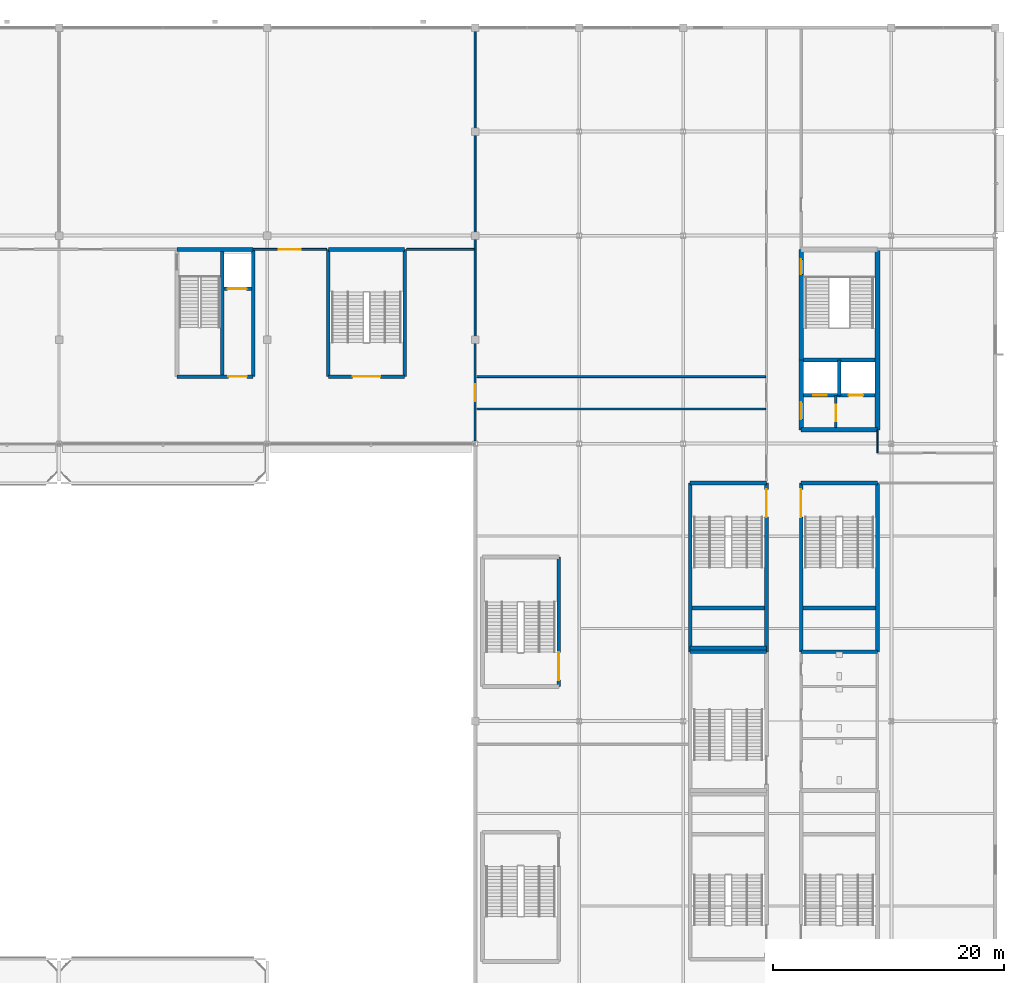
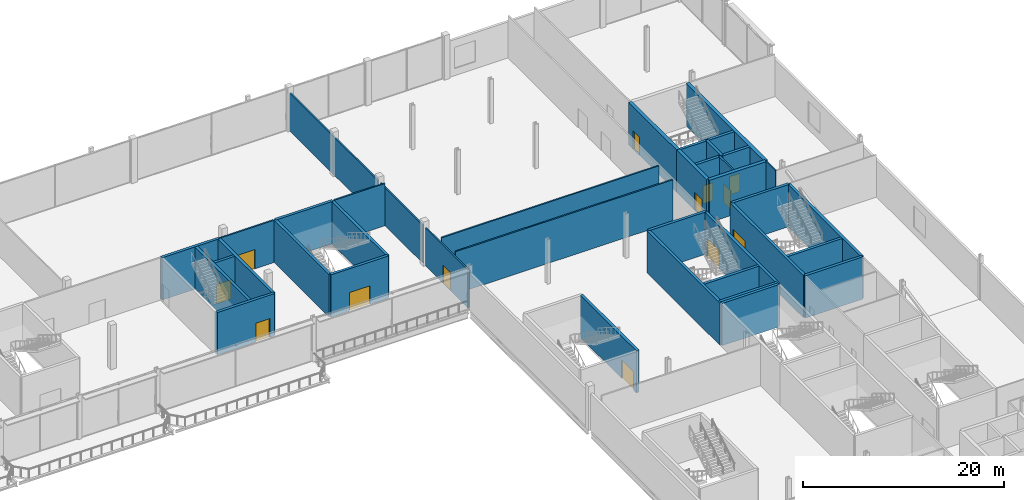
# One storey, part 71 of 113: 38 walls, 13 doors, 13 openings.
"""IFC4 building model written with IfcOpenShell, lengths in metres."""

from ifc_helpers import new_model, si_unit, direction, frame, frame_2d, origin, place, context, subcontext, project, spatial, rectangle, extrude, material, layer, layer_set, type_object, element, fill, save


model = new_model("IFC4")

# Units and contexts
model_context = context("Model", 3, precision=1e-05, world=origin(), true_north=direction((0.0, 1.0)))
body_context = subcontext(model_context, "Body", "Model", "MODEL_VIEW")
ifc_project = project(units=[si_unit("LENGTHUNIT", "METRE"), si_unit("AREAUNIT", "SQUARE_METRE"), si_unit("VOLUMEUNIT", "CUBIC_METRE"), si_unit("PLANEANGLEUNIT", "RADIAN"), si_unit("MASSUNIT", "GRAM", prefix="KILO")], contexts=[model_context])

# Site, building, storey
site_placement = place(None, origin())
site = spatial("IfcSite", under=ifc_project, at=site_placement, CompositionType="ELEMENT")
building_placement = place(site_placement, origin())
building = spatial("IfcBuilding", under=site, at=building_placement, Name="Kisiwana Market Hall", CompositionType="ELEMENT")
storey_placement = place(building_placement, frame((0.0, 0.0, 6.0)))
storey = spatial("IfcBuildingStorey", under=building, at=storey_placement, Name="L01", CompositionType="ELEMENT", Elevation=6.0)

# Wall, opening, door
ifc_material_1 = material(Name="Masonry blockwork", Category="masonry")
ifc_layer_1 = layer(ifc_material_1, 0.199951171875, Name="Plastered fire compartment block wall")
ifc_layer_set_1 = layer_set([ifc_layer_1], Name="WL-COMP-200")
wall_type_1 = type_object("IfcWallType", Name="WL-COMP-200", PredefinedType="PARTITIONING", material=ifc_layer_set_1)
wall_1_placement = place(storey_placement, frame((184.199951171875, 85.39990234375, 0.0), z_axis=(0.0, 0.0, 1.0), x_axis=(0.0, 1.0, 0.0)))
wall_1 = element("IfcWall", 1, at=wall_1_placement, inside=storey, type_object=wall_type_1, Name="Core E1 firefighting lobby wall W-0845", PredefinedType="PARTITIONING", context=body_context, shape_type="SweptSolid", body=[
    extrude(rectangle(XDim=2.780029296875, YDim=0.199951171875, at=frame_2d((1.39013671875, 0.0))), origin(), (0.0, 0.0, 1.0), 5.14990234375),
])
opening_1_placement = place(wall_1_placement, frame((0.550048828125, 0.0, 0.0)))
opening_1 = element("IfcOpeningElement", 2, at=opening_1_placement, cuts=wall_1, Name="Opening DR-L01-012", PredefinedType="OPENING", context=body_context, shape_type="SweptSolid", body=[
    extrude(rectangle(XDim=1.39990234375, YDim=2.25, at=frame_2d((0.699951171875, 1.125))), frame((0.0, 0.11181640625, 0.0), z_axis=(0.0, -1.0, 0.0), x_axis=(1.0, 0.0, 0.0)), (0.0, 0.0, 1.0), 0.223876953125),
])
ifc_material_2 = material(Name="Steel S275", Category="steel")
door_type_1 = type_object("IfcDoorType", Name="DR-FFLOB-FD120-1400", OperationType="DOUBLE_DOOR_SINGLE_SWING", PredefinedType="DOOR", material=ifc_material_2)
door_1_placement = place(opening_1_placement, origin())
door_1 = element("IfcDoor", 3, at=door_1_placement, inside=storey, type_object=door_type_1, Name="Firefighting Lift Lobby E1 Door (L01)", OperationType="DOUBLE_DOOR_SINGLE_SWING", OverallHeight=2.25, OverallWidth=1.39990234375, PredefinedType="DOOR", context=body_context, shape_type="SweptSolid", body=[
    extrude(rectangle(XDim=1.39990234375, YDim=2.25, at=frame_2d((0.699951171875, 1.125))), frame((0.0, 0.02490234375, 0.0), z_axis=(0.0, -1.0, 0.0), x_axis=(1.0, 0.0, 0.0)), (0.0, 0.0, 1.0), 0.050048828125),
])
fill(opening_1, door_1)

# Walls
ifc_material_3 = material(Name="Concrete C40/50", Category="concrete")
ifc_layer_2 = layer(ifc_material_3, 0.320068359375, Name="Reinforced concrete shaft wall")
ifc_layer_set_2 = layer_set([ifc_layer_2], Name="WL-CORE-320")
wall_type_2 = type_object("IfcWallType", Name="WL-CORE-320", PredefinedType="SHEAR", material=ifc_layer_set_2)
wall_2_placement = place(storey_placement, frame((181.39990234375, 91.239990234375, 0.0), z_axis=(0.0, 0.0, 1.0), x_axis=(1.0, 0.0, 0.0)))
element("IfcWall", 4, at=wall_2_placement, inside=storey, type_object=wall_type_2, Name="Core E1 shaft back shear wall W-0704", PredefinedType="SHEAR", context=body_context, shape_type="SweptSolid", body=[
    extrude(rectangle(XDim=6.2001953125, YDim=0.320068359375, at=frame_2d((3.10009765625, 0.0))), origin(), (0.0, 0.0, 1.0), 5.14990234375),
])
wall_3_placement = place(storey_placement, frame((184.5, 88.179931640625, 0.0), z_axis=(0.0, 0.0, 1.0), x_axis=(0.0, 1.0, 0.0)))
element("IfcWall", 5, at=wall_3_placement, inside=storey, type_object=wall_type_2, Name="Core E1 inter-shaft shear wall W-0705", PredefinedType="SHEAR", context=body_context, shape_type="SweptSolid", body=[
    extrude(rectangle(XDim=3.06005859375, YDim=0.320068359375, at=frame_2d((1.530029296875, 0.0))), origin(), (0.0, 0.0, 1.0), 5.14990234375),
])

# Wall, opening, door
wall_4_placement = place(storey_placement, frame((181.39990234375, 88.179931640625, 0.0), z_axis=(0.0, 0.0, 1.0), x_axis=(1.0, 0.0, 0.0)))
wall_4 = element("IfcWall", 6, at=wall_4_placement, inside=storey, type_object=wall_type_2, Name="Core E1 west lift front wall W-0706", PredefinedType="SHEAR", context=body_context, shape_type="SweptSolid", body=[
    extrude(rectangle(XDim=3.10009765625, YDim=0.320068359375, at=frame_2d((1.550048828125, 0.0))), origin(), (0.0, 0.0, 1.0), 5.14990234375),
])
opening_2_placement = place(wall_4_placement, frame((0.85009765625, 0.0, 0.0)))
opening_2 = element("IfcOpeningElement", 7, at=opening_2_placement, cuts=wall_4, Name="Opening LD-L01-007", PredefinedType="OPENING", context=body_context, shape_type="SweptSolid", body=[
    extrude(rectangle(XDim=1.14990234375, YDim=2.199951171875, at=frame_2d((0.574951171875, 1.10009765625))), frame((0.0, 0.171875, 0.0), z_axis=(0.0, -1.0, 0.0), x_axis=(1.0, 0.0, 0.0)), (0.0, 0.0, 1.0), 0.343994140625),
])
ifc_material_4 = material(Name="Steel S275", Category="steel")
door_type_2 = type_object("IfcDoorType", Name="DR-LIFT-PAX-1150", OperationType="DOUBLE_DOOR_SLIDING", PredefinedType="DOOR", material=ifc_material_4)
door_2_placement = place(opening_2_placement, origin())
door_2 = element("IfcDoor", 8, at=door_2_placement, inside=storey, type_object=door_type_2, Name="Lift Landing Door LP-04 (L01)", OperationType="DOUBLE_DOOR_SLIDING", OverallHeight=2.199951171875, OverallWidth=1.14990234375, PredefinedType="DOOR", context=body_context, shape_type="SweptSolid", body=[
    extrude(rectangle(XDim=1.14990234375, YDim=2.199951171875, at=frame_2d((0.574951171875, 1.10009765625))), frame((0.0, 0.02490234375, 0.0), z_axis=(0.0, -1.0, 0.0), x_axis=(1.0, 0.0, 0.0)), (0.0, 0.0, 1.0), 0.050048828125),
])
fill(opening_2, door_2)

wall_5_placement = place(storey_placement, frame((184.5, 88.179931640625, 0.0), z_axis=(0.0, 0.0, 1.0), x_axis=(1.0, 0.0, 0.0)))
wall_5 = element("IfcWall", 9, at=wall_5_placement, inside=storey, type_object=wall_type_2, Name="Core E1 east lift front wall W-0707", PredefinedType="SHEAR", context=body_context, shape_type="SweptSolid", body=[
    extrude(rectangle(XDim=3.10009765625, YDim=0.320068359375, at=frame_2d((1.550048828125, 0.0))), origin(), (0.0, 0.0, 1.0), 5.14990234375),
])
opening_3_placement = place(wall_5_placement, frame((0.800048828125, 0.0, 0.0)))
opening_3 = element("IfcOpeningElement", 10, at=opening_3_placement, cuts=wall_5, Name="Opening LD-L01-008", PredefinedType="OPENING", context=body_context, shape_type="SweptSolid", body=[
    extrude(rectangle(XDim=1.25, YDim=2.25, at=frame_2d((0.625, 1.125))), frame((0.0, 0.171875, 0.0), z_axis=(0.0, -1.0, 0.0), x_axis=(1.0, 0.0, 0.0)), (0.0, 0.0, 1.0), 0.343994140625),
])
ifc_material_5 = material(Name="Steel S275", Category="steel")
door_type_3 = type_object("IfcDoorType", Name="DR-LIFT-FFL-1250", OperationType="DOUBLE_DOOR_SLIDING", PredefinedType="DOOR", material=ifc_material_5)
door_3_placement = place(opening_3_placement, origin())
door_3 = element("IfcDoor", 11, at=door_3_placement, inside=storey, type_object=door_type_3, Name="Lift Landing Door FFL-04 (L01)", OperationType="DOUBLE_DOOR_SLIDING", OverallHeight=2.25, OverallWidth=1.25, PredefinedType="DOOR", context=body_context, shape_type="SweptSolid", body=[
    extrude(rectangle(XDim=1.25, YDim=2.25, at=frame_2d((0.625, 1.125))), frame((0.0, 0.02490234375, 0.0), z_axis=(0.0, -1.0, 0.0), x_axis=(1.0, 0.0, 0.0)), (0.0, 0.0, 1.0), 0.050048828125),
])
fill(opening_3, door_3)

wall_6_placement = place(storey_placement, frame((127.199951171875, 89.800048828125, 0.0), z_axis=(0.0, 0.0, 1.0), x_axis=(1.0, 0.0, 0.0)))
wall_6 = element("IfcWall", 12, at=wall_6_placement, inside=storey, type_object=wall_type_2, Name="Core N2 south wall W-0724", PredefinedType="SHEAR", context=body_context, shape_type="SweptSolid", body=[
    extrude(rectangle(XDim=6.60009765625, YDim=0.320068359375, at=frame_2d((3.300048828125, 0.0))), origin(), (0.0, 0.0, 1.0), 5.14990234375),
])
opening_4_placement = place(wall_6_placement, frame((4.449951171875, 0.0, 0.0)))
opening_4 = element("IfcOpeningElement", 13, at=opening_4_placement, cuts=wall_6, Name="Opening DR-L01-018", PredefinedType="OPENING", context=body_context, shape_type="SweptSolid", body=[
    extrude(rectangle(XDim=1.60009765625, YDim=2.300048828125, at=frame_2d((0.800048828125, 1.14990234375))), frame((0.0, 0.171875, 0.0), z_axis=(0.0, -1.0, 0.0), x_axis=(1.0, 0.0, 0.0)), (0.0, 0.0, 1.0), 0.343994140625),
])
ifc_material_6 = material(Name="Steel S275", Category="steel")
door_type_4 = type_object("IfcDoorType", Name="DR-PLANT-FD120-1600", OperationType="DOUBLE_DOOR_SINGLE_SWING", PredefinedType="DOOR", material=ifc_material_6)
door_4_placement = place(opening_4_placement, origin())
door_4 = element("IfcDoor", 14, at=door_4_placement, inside=storey, type_object=door_type_4, Name="Goods Lift Lobby N2 Door (L01)", OperationType="DOUBLE_DOOR_SINGLE_SWING", OverallHeight=2.300048828125, OverallWidth=1.60009765625, PredefinedType="DOOR", context=body_context, shape_type="SweptSolid", body=[
    extrude(rectangle(XDim=1.60009765625, YDim=2.300048828125, at=frame_2d((0.800048828125, 1.14990234375))), frame((0.0, 0.02490234375, 0.0), z_axis=(0.0, -1.0, 0.0), x_axis=(1.0, 0.0, 0.0)), (0.0, 0.0, 1.0), 0.050048828125),
])
fill(opening_4, door_4)

# Walls
wall_7_placement = place(storey_placement, frame((127.199951171875, 100.800048828125, 0.0), z_axis=(0.0, 0.0, 1.0), x_axis=(1.0, 0.0, 0.0)))
element("IfcWall", 15, at=wall_7_placement, inside=storey, type_object=wall_type_2, Name="Core N2 north wall W-0725", PredefinedType="SHEAR", context=body_context, shape_type="SweptSolid", body=[
    extrude(rectangle(XDim=6.60009765625, YDim=0.320068359375, at=frame_2d((3.300048828125, 0.0))), origin(), (0.0, 0.0, 1.0), 5.14990234375),
])
wall_8_placement = place(storey_placement, frame((133.800048828125, 89.800048828125, 0.0), z_axis=(0.0, 0.0, 1.0), x_axis=(0.0, 1.0, 0.0)))
element("IfcWall", 16, at=wall_8_placement, inside=storey, type_object=wall_type_2, Name="Core N2 east wall W-0727", PredefinedType="SHEAR", context=body_context, shape_type="SweptSolid", body=[
    extrude(rectangle(XDim=11.0, YDim=0.320068359375, at=frame_2d((5.5, 0.0))), origin(), (0.0, 0.0, 1.0), 5.14990234375),
])
wall_9_placement = place(storey_placement, frame((131.1201171875, 89.9599609375, 0.0), z_axis=(0.0, 0.0, 1.0), x_axis=(0.0, 1.0, 0.0)))
element("IfcWall", 17, at=wall_9_placement, inside=storey, type_object=wall_type_2, Name="Core N2 shaft divider W-0728", PredefinedType="SHEAR", context=body_context, shape_type="SweptSolid", body=[
    extrude(rectangle(XDim=10.679931640625, YDim=0.320068359375, at=frame_2d((5.33984375, 0.0))), origin(), (0.0, 0.0, 1.0), 5.14990234375),
])

# Wall, opening, door
wall_10_placement = place(storey_placement, frame((131.280029296875, 97.389892578125, 0.0), z_axis=(0.0, 0.0, 1.0), x_axis=(1.0, 0.0, 0.0)))
wall_10 = element("IfcWall", 18, at=wall_10_placement, inside=storey, type_object=wall_type_2, Name="Core N2 goods lift front wall W-0729", PredefinedType="SHEAR", context=body_context, shape_type="SweptSolid", body=[
    extrude(rectangle(XDim=2.35986328125, YDim=0.320068359375, at=frame_2d((1.179931640625, 0.0))), origin(), (0.0, 0.0, 1.0), 5.14990234375),
])
opening_5_placement = place(wall_10_placement, frame((0.300048828125, 0.0, 0.0)))
opening_5 = element("IfcOpeningElement", 19, at=opening_5_placement, cuts=wall_10, Name="Opening LD-L01-010", PredefinedType="OPENING", context=body_context, shape_type="SweptSolid", body=[
    extrude(rectangle(XDim=1.64990234375, YDim=2.35009765625, at=frame_2d((0.824951171875, 1.175048828125))), frame((0.0, 0.171875, 0.0), z_axis=(0.0, -1.0, 0.0), x_axis=(1.0, 0.0, 0.0)), (0.0, 0.0, 1.0), 0.343994140625),
])
ifc_material_7 = material(Name="Steel S275", Category="steel")
door_type_5 = type_object("IfcDoorType", Name="DR-LIFT-GDS-1650", OperationType="DOUBLE_DOOR_SLIDING", PredefinedType="DOOR", material=ifc_material_7)
door_5_placement = place(opening_5_placement, origin())
door_5 = element("IfcDoor", 20, at=door_5_placement, inside=storey, type_object=door_type_5, Name="Lift Landing Door LG-02 (L01)", OperationType="DOUBLE_DOOR_SLIDING", OverallHeight=2.35009765625, OverallWidth=1.64990234375, PredefinedType="DOOR", context=body_context, shape_type="SweptSolid", body=[
    extrude(rectangle(XDim=1.64990234375, YDim=2.35009765625, at=frame_2d((0.824951171875, 1.175048828125))), frame((0.0, 0.02490234375, 0.0), z_axis=(0.0, -1.0, 0.0), x_axis=(1.0, 0.0, 0.0)), (0.0, 0.0, 1.0), 0.050048828125),
])
fill(opening_5, door_5)

# Walls
for number, where, z_axis, x_axis, name in (
    (21, (181.199951171875, 66.0, 0.0), (0.0, 0.0, 1.0), (1.0, 0.0, 0.0), "Core E4 south shear wall W-0745"),
    (22, (181.199951171875, 80.60009765625, 0.0), (0.0, 0.0, 1.0), (1.0, 0.0, 0.0), "Core E4 north shear wall W-0746"),
):
    element("IfcWall", number, at=place(storey_placement, frame(where, z_axis=z_axis, x_axis=x_axis)), inside=storey, type_object=wall_type_2, Name=name, PredefinedType="SHEAR", context=body_context, shape_type="SweptSolid", body=[
        extrude(rectangle(XDim=6.60009765625, YDim=0.320068359375, at=frame_2d((3.300048828125, 0.0))), origin(), (0.0, 0.0, 1.0), 5.14990234375),
    ])

# Wall, opening, door
wall_11_placement = place(storey_placement, frame((181.199951171875, 66.0, 0.0), z_axis=(0.0, 0.0, 1.0), x_axis=(0.0, 1.0, 0.0)))
wall_11 = element("IfcWall", 23, at=wall_11_placement, inside=storey, type_object=wall_type_2, Name="Core E4 corridor shear wall W-0747", PredefinedType="SHEAR", context=body_context, shape_type="SweptSolid", body=[
    extrude(rectangle(XDim=14.60009765625, YDim=0.320068359375, at=frame_2d((7.300048828125, 0.0))), origin(), (0.0, 0.0, 1.0), 5.14990234375),
])
opening_6_placement = place(wall_11_placement, frame((11.64990234375, 0.0, 0.0)))
opening_6 = element("IfcOpeningElement", 24, at=opening_6_placement, cuts=wall_11, Name="Opening DR-L01-022", PredefinedType="OPENING", context=body_context, shape_type="SweptSolid", body=[
    extrude(rectangle(XDim=2.39990234375, YDim=2.25, at=frame_2d((1.199951171875, 1.125))), frame((0.0, 0.171875, 0.0), z_axis=(0.0, -1.0, 0.0), x_axis=(1.0, 0.0, 0.0)), (0.0, 0.0, 1.0), 0.343994140625),
])
ifc_material_8 = material(Name="Steel S275", Category="steel")
door_type_6 = type_object("IfcDoorType", Name="DR-STAIR-FD120-2400", OperationType="DOUBLE_DOOR_SINGLE_SWING", PredefinedType="DOOR", material=ifc_material_8)
door_6_placement = place(opening_6_placement, frame((2.39990234375, 0.0, 0.0), z_axis=(0.0, 0.0, 1.0), x_axis=(-1.0, 0.0, 0.0)))
door_6 = element("IfcDoor", 25, at=door_6_placement, inside=storey, type_object=door_type_6, Name="Escape Stair E4 Fire Door (L01)", OperationType="DOUBLE_DOOR_SINGLE_SWING", OverallHeight=2.25, OverallWidth=2.39990234375, PredefinedType="DOOR", context=body_context, shape_type="SweptSolid", body=[
    extrude(rectangle(XDim=2.39990234375, YDim=2.25, at=frame_2d((1.199951171875, 1.125))), frame((0.0, 0.02490234375, 0.0), z_axis=(0.0, -1.0, 0.0), x_axis=(1.0, 0.0, 0.0)), (0.0, 0.0, 1.0), 0.050048828125),
])
fill(opening_6, door_6)

# Walls
wall_12_placement = place(storey_placement, frame((187.800048828125, 66.0, 0.0), z_axis=(0.0, 0.0, 1.0), x_axis=(0.0, 1.0, 0.0)))
element("IfcWall", 26, at=wall_12_placement, inside=storey, type_object=wall_type_2, Name="Core E4 outer shear wall W-0748", PredefinedType="SHEAR", context=body_context, shape_type="SweptSolid", body=[
    extrude(rectangle(XDim=14.60009765625, YDim=0.320068359375, at=frame_2d((7.300048828125, 0.0))), origin(), (0.0, 0.0, 1.0), 5.14990234375),
])
wall_13_placement = place(storey_placement, frame((181.360107421875, 69.780029296875, 0.0), z_axis=(0.0, 0.0, 1.0), x_axis=(1.0, 0.0, 0.0)))
element("IfcWall", 27, at=wall_13_placement, inside=storey, type_object=wall_type_2, Name="Core E4 riser divider shear wall W-0749", PredefinedType="SHEAR", context=body_context, shape_type="SweptSolid", body=[
    extrude(rectangle(XDim=6.27978515625, YDim=0.320068359375, at=frame_2d((3.139892578125, 0.0))), origin(), (0.0, 0.0, 1.0), 5.14990234375),
])
for number, where, z_axis, x_axis, name in (
    (28, (171.60009765625, 66.0, 0.0), (0.0, 0.0, 1.0), (1.0, 0.0, 0.0), "Core E8 south shear wall W-0765"),
    (29, (171.60009765625, 80.60009765625, 0.0), (0.0, 0.0, 1.0), (1.0, 0.0, 0.0), "Core E8 north shear wall W-0766"),
):
    element("IfcWall", number, at=place(storey_placement, frame(where, z_axis=z_axis, x_axis=x_axis)), inside=storey, type_object=wall_type_2, Name=name, PredefinedType="SHEAR", context=body_context, shape_type="SweptSolid", body=[
        extrude(rectangle(XDim=6.599853515625, YDim=0.320068359375, at=frame_2d((3.2998046875, 0.0))), origin(), (0.0, 0.0, 1.0), 5.14990234375),
    ])
wall_14_placement = place(storey_placement, frame((171.60009765625, 66.0, 0.0), z_axis=(0.0, 0.0, 1.0), x_axis=(0.0, 1.0, 0.0)))
element("IfcWall", 30, at=wall_14_placement, inside=storey, type_object=wall_type_2, Name="Core E8 outer shear wall W-0767", PredefinedType="SHEAR", context=body_context, shape_type="SweptSolid", body=[
    extrude(rectangle(XDim=14.60009765625, YDim=0.320068359375, at=frame_2d((7.300048828125, 0.0))), origin(), (0.0, 0.0, 1.0), 5.14990234375),
])

# Wall, opening, door
wall_15_placement = place(storey_placement, frame((178.199951171875, 66.0, 0.0), z_axis=(0.0, 0.0, 1.0), x_axis=(0.0, 1.0, 0.0)))
wall_15 = element("IfcWall", 31, at=wall_15_placement, inside=storey, type_object=wall_type_2, Name="Core E8 corridor shear wall W-0768", PredefinedType="SHEAR", context=body_context, shape_type="SweptSolid", body=[
    extrude(rectangle(XDim=14.60009765625, YDim=0.320068359375, at=frame_2d((7.300048828125, 0.0))), origin(), (0.0, 0.0, 1.0), 5.14990234375),
])
opening_7_placement = place(wall_15_placement, frame((11.64990234375, 0.0, 0.0)))
opening_7 = element("IfcOpeningElement", 32, at=opening_7_placement, cuts=wall_15, Name="Opening DR-L01-026", PredefinedType="OPENING", context=body_context, shape_type="SweptSolid", body=[
    extrude(rectangle(XDim=2.39990234375, YDim=2.25, at=frame_2d((1.199951171875, 1.125))), frame((0.0, 0.171875, 0.0), z_axis=(0.0, -1.0, 0.0), x_axis=(1.0, 0.0, 0.0)), (0.0, 0.0, 1.0), 0.343994140625),
])
door_7_placement = place(opening_7_placement, origin())
door_7 = element("IfcDoor", 33, at=door_7_placement, inside=storey, type_object=door_type_6, Name="Escape Stair E8 Fire Door (L01)", OperationType="DOUBLE_DOOR_SINGLE_SWING", OverallHeight=2.25, OverallWidth=2.39990234375, PredefinedType="DOOR", context=body_context, shape_type="SweptSolid", body=[
    extrude(rectangle(XDim=2.39990234375, YDim=2.25, at=frame_2d((1.199951171875, 1.125))), frame((0.0, 0.02490234375, 0.0), z_axis=(0.0, -1.0, 0.0), x_axis=(1.0, 0.0, 0.0)), (0.0, 0.0, 1.0), 0.050048828125),
])
fill(opening_7, door_7)

# Wall
wall_16_placement = place(storey_placement, frame((171.760009765625, 69.780029296875, 0.0), z_axis=(0.0, 0.0, 1.0), x_axis=(1.0, 0.0, 0.0)))
element("IfcWall", 34, at=wall_16_placement, inside=storey, type_object=wall_type_2, Name="Core E8 riser divider shear wall W-0769", PredefinedType="SHEAR", context=body_context, shape_type="SweptSolid", body=[
    extrude(rectangle(XDim=6.280029296875, YDim=0.320068359375, at=frame_2d((3.14013671875, 0.0))), origin(), (0.0, 0.0, 1.0), 5.14990234375),
])

# Wall, opening, door
wall_17_placement = place(storey_placement, frame((160.22998046875, 63.0, 0.0), z_axis=(0.0, 0.0, 1.0), x_axis=(0.0, 1.0, 0.0)))
wall_17 = element("IfcWall", 35, at=wall_17_placement, inside=storey, type_object=wall_type_2, Name="Core E10 corridor shear wall W-0785", PredefinedType="SHEAR", context=body_context, shape_type="SweptSolid", body=[
    extrude(rectangle(XDim=11.199951171875, YDim=0.320068359375, at=frame_2d((5.60009765625, 0.0))), origin(), (0.0, 0.0, 1.0), 5.14990234375),
])
opening_8_placement = place(wall_17_placement, frame((0.550048828125, 0.0, 0.0)))
opening_8 = element("IfcOpeningElement", 36, at=opening_8_placement, cuts=wall_17, Name="Opening DR-L01-030", PredefinedType="OPENING", context=body_context, shape_type="SweptSolid", body=[
    extrude(rectangle(XDim=2.39990234375, YDim=2.25, at=frame_2d((1.199951171875, 1.125))), frame((0.0, 0.171875, 0.0), z_axis=(0.0, -1.0, 0.0), x_axis=(1.0, 0.0, 0.0)), (0.0, 0.0, 1.0), 0.343994140625),
])
door_8_placement = place(opening_8_placement, origin())
door_8 = element("IfcDoor", 37, at=door_8_placement, inside=storey, type_object=door_type_6, Name="Escape Stair E10 Fire Door (L01)", OperationType="DOUBLE_DOOR_SINGLE_SWING", OverallHeight=2.25, OverallWidth=2.39990234375, PredefinedType="DOOR", context=body_context, shape_type="SweptSolid", body=[
    extrude(rectangle(XDim=2.39990234375, YDim=2.25, at=frame_2d((1.199951171875, 1.125))), frame((0.0, 0.02490234375, 0.0), z_axis=(0.0, -1.0, 0.0), x_axis=(1.0, 0.0, 0.0)), (0.0, 0.0, 1.0), 0.050048828125),
])
fill(opening_8, door_8)

# Wall
wall_18_placement = place(storey_placement, frame((171.60009765625, 66.320068359375, 0.0), z_axis=(0.0, 0.0, 1.0), x_axis=(1.0, 0.0, 0.0)))
element("IfcWall", 38, at=wall_18_placement, inside=storey, type_object=wall_type_2, Name="Core E5 north shear wall W-0791", PredefinedType="SHEAR", context=body_context, shape_type="SweptSolid", body=[
    extrude(rectangle(XDim=6.599853515625, YDim=0.320068359375, at=frame_2d((3.2998046875, 0.0))), origin(), (0.0, 0.0, 1.0), 5.14990234375),
])

# Wall, opening, door
wall_19_placement = place(storey_placement, frame((140.300048828125, 89.800048828125, 0.0), z_axis=(0.0, 0.0, 1.0), x_axis=(1.0, 0.0, 0.0)))
wall_19 = element("IfcWall", 39, at=wall_19_placement, inside=storey, type_object=wall_type_2, Name="Core N6 corridor shear wall W-0822", PredefinedType="SHEAR", context=body_context, shape_type="SweptSolid", body=[
    extrude(rectangle(XDim=6.599853515625, YDim=0.320068359375, at=frame_2d((3.2998046875, 0.0))), origin(), (0.0, 0.0, 1.0), 5.14990234375),
])
opening_9_placement = place(wall_19_placement, frame((2.10009765625, 0.0, 0.0)))
opening_9 = element("IfcOpeningElement", 40, at=opening_9_placement, cuts=wall_19, Name="Opening DR-L01-040", PredefinedType="OPENING", context=body_context, shape_type="SweptSolid", body=[
    extrude(rectangle(XDim=2.39990234375, YDim=2.25, at=frame_2d((1.199951171875, 1.125))), frame((0.0, 0.171875, 0.0), z_axis=(0.0, -1.0, 0.0), x_axis=(1.0, 0.0, 0.0)), (0.0, 0.0, 1.0), 0.343994140625),
])
door_9_placement = place(opening_9_placement, origin())
door_9 = element("IfcDoor", 41, at=door_9_placement, inside=storey, type_object=door_type_6, Name="Escape Stair N6 Fire Door (L01)", OperationType="DOUBLE_DOOR_SINGLE_SWING", OverallHeight=2.25, OverallWidth=2.39990234375, PredefinedType="DOOR", context=body_context, shape_type="SweptSolid", body=[
    extrude(rectangle(XDim=2.39990234375, YDim=2.25, at=frame_2d((1.199951171875, 1.125))), frame((0.0, 0.02490234375, 0.0), z_axis=(0.0, -1.0, 0.0), x_axis=(1.0, 0.0, 0.0)), (0.0, 0.0, 1.0), 0.050048828125),
])
fill(opening_9, door_9)

# Walls
wall_20_placement = place(storey_placement, frame((140.300048828125, 100.800048828125, 0.0), z_axis=(0.0, 0.0, 1.0), x_axis=(1.0, 0.0, 0.0)))
element("IfcWall", 42, at=wall_20_placement, inside=storey, type_object=wall_type_2, Name="Core N6 outer shear wall W-0823", PredefinedType="SHEAR", context=body_context, shape_type="SweptSolid", body=[
    extrude(rectangle(XDim=6.599853515625, YDim=0.320068359375, at=frame_2d((3.2998046875, 0.0))), origin(), (0.0, 0.0, 1.0), 5.14990234375),
])
for number, where, z_axis, x_axis, name in (
    (43, (140.300048828125, 89.800048828125, 0.0), (0.0, 0.0, 1.0), (0.0, 1.0, 0.0), "Core N6 west shear wall W-0824"),
    (44, (146.89990234375, 89.800048828125, 0.0), (0.0, 0.0, 1.0), (0.0, 1.0, 0.0), "Core N6 east shear wall W-0825"),
):
    element("IfcWall", number, at=place(storey_placement, frame(where, z_axis=z_axis, x_axis=x_axis)), inside=storey, type_object=wall_type_2, Name=name, PredefinedType="SHEAR", context=body_context, shape_type="SweptSolid", body=[
        extrude(rectangle(XDim=11.0, YDim=0.320068359375, at=frame_2d((5.5, 0.0))), origin(), (0.0, 0.0, 1.0), 5.14990234375),
    ])
ifc_material_9 = material(Name="Concrete C40/50", Category="concrete")
ifc_layer_3 = layer(ifc_material_9, 0.39990234375, Name="Reinforced concrete core wall")
ifc_layer_set_3 = layer_set([ifc_layer_3], Name="WL-CORE-400")
wall_type_3 = type_object("IfcWallType", Name="WL-CORE-400", PredefinedType="SHEAR", material=ifc_layer_set_3)
wall_21_placement = place(storey_placement, frame((181.199951171875, 85.199951171875, 0.0), z_axis=(0.0, 0.0, 1.0), x_axis=(1.0, 0.0, 0.0)))
element("IfcWall", 45, at=wall_21_placement, inside=storey, type_object=wall_type_3, Name="Core E1 south shear wall W-0699", PredefinedType="SHEAR", context=body_context, shape_type="SweptSolid", body=[
    extrude(rectangle(XDim=6.60009765625, YDim=0.39990234375, at=frame_2d((3.300048828125, 0.0))), origin(), (0.0, 0.0, 1.0), 5.14990234375),
])
wall_22_placement = place(storey_placement, frame((187.800048828125, 85.199951171875, 0.0), z_axis=(0.0, 0.0, 1.0), x_axis=(0.0, 1.0, 0.0)))
element("IfcWall", 46, at=wall_22_placement, inside=storey, type_object=wall_type_3, Name="Core E1 outer shear wall W-0701", PredefinedType="SHEAR", context=body_context, shape_type="SweptSolid", body=[
    extrude(rectangle(XDim=15.60009765625, YDim=0.39990234375, at=frame_2d((7.800048828125, 0.0))), origin(), (0.0, 0.0, 1.0), 5.14990234375),
])

# Wall, opening, door
wall_23_placement = place(storey_placement, frame((181.199951171875, 85.199951171875, 0.0), z_axis=(0.0, 0.0, 1.0), x_axis=(0.0, 1.0, 0.0)))
wall_23 = element("IfcWall", 47, at=wall_23_placement, inside=storey, type_object=wall_type_3, Name="Core E1 lobby corridor shear wall W-0702", PredefinedType="SHEAR", context=body_context, shape_type="SweptSolid", body=[
    extrude(rectangle(XDim=6.0400390625, YDim=0.39990234375, at=frame_2d((3.02001953125, 0.0))), origin(), (0.0, 0.0, 1.0), 5.14990234375),
])
opening_10_placement = place(wall_23_placement, frame((0.89990234375, 0.0, 0.0)))
opening_10 = element("IfcOpeningElement", 48, at=opening_10_placement, cuts=wall_23, Name="Opening DR-L01-010", PredefinedType="OPENING", context=body_context, shape_type="SweptSolid", body=[
    extrude(rectangle(XDim=1.5, YDim=2.199951171875, at=frame_2d((0.75, 1.10009765625))), frame((0.0, 0.2119140625, 0.0), z_axis=(0.0, -1.0, 0.0), x_axis=(1.0, 0.0, 0.0)), (0.0, 0.0, 1.0), 0.423828125),
])
ifc_material_10 = material(Name="Steel S275", Category="steel")
door_type_7 = type_object("IfcDoorType", Name="DR-CORR-FD60-1500", OperationType="DOUBLE_DOOR_SINGLE_SWING", PredefinedType="DOOR", material=ifc_material_10)
door_10_placement = place(opening_10_placement, origin())
door_10 = element("IfcDoor", 49, at=door_10_placement, inside=storey, type_object=door_type_7, Name="Passenger Lift Lobby E1 Smoke Door (L01)", OperationType="DOUBLE_DOOR_SINGLE_SWING", OverallHeight=2.199951171875, OverallWidth=1.5, PredefinedType="DOOR", context=body_context, shape_type="SweptSolid", body=[
    extrude(rectangle(XDim=1.5, YDim=2.199951171875, at=frame_2d((0.75, 1.10009765625))), frame((0.0, 0.02490234375, 0.0), z_axis=(0.0, -1.0, 0.0), x_axis=(1.0, 0.0, 0.0)), (0.0, 0.0, 1.0), 0.050048828125),
])
fill(opening_10, door_10)

wall_24_placement = place(storey_placement, frame((181.199951171875, 91.239990234375, 0.0), z_axis=(0.0, 0.0, 1.0), x_axis=(0.0, 1.0, 0.0)))
wall_24 = element("IfcWall", 50, at=wall_24_placement, inside=storey, type_object=wall_type_3, Name="Core E1 stair corridor shear wall W-0703", PredefinedType="SHEAR", context=body_context, shape_type="SweptSolid", body=[
    extrude(rectangle(XDim=9.56005859375, YDim=0.39990234375, at=frame_2d((4.780029296875, 0.0))), origin(), (0.0, 0.0, 1.0), 5.14990234375),
])
opening_11_placement = place(wall_24_placement, frame((7.409912109375, 0.0, 0.0)))
opening_11 = element("IfcOpeningElement", 51, at=opening_11_placement, cuts=wall_24, Name="Opening DR-L01-011", PredefinedType="OPENING", context=body_context, shape_type="SweptSolid", body=[
    extrude(rectangle(XDim=1.300048828125, YDim=2.199951171875, at=frame_2d((0.64990234375, 1.10009765625))), frame((0.0, 0.2119140625, 0.0), z_axis=(0.0, -1.0, 0.0), x_axis=(1.0, 0.0, 0.0)), (0.0, 0.0, 1.0), 0.423828125),
])
ifc_material_11 = material(Name="Steel S275", Category="steel")
door_type_8 = type_object("IfcDoorType", Name="DR-STAIR-FD120-1300", OperationType="NOTDEFINED", PredefinedType="DOOR", material=ifc_material_11)
door_11_placement = place(opening_11_placement, frame((1.300048828125, 0.0, 0.0), z_axis=(0.0, 0.0, 1.0), x_axis=(-1.0, 0.0, 0.0)))
door_11 = element("IfcDoor", 52, at=door_11_placement, inside=storey, type_object=door_type_8, Name="Escape Stair E1 Fire Door (L01)", OperationType="SINGLE_SWING_LEFT", OverallHeight=2.199951171875, OverallWidth=1.300048828125, PredefinedType="DOOR", context=body_context, shape_type="SweptSolid", body=[
    extrude(rectangle(XDim=1.300048828125, YDim=2.199951171875, at=frame_2d((0.64990234375, 1.10009765625))), frame((0.0, 0.02490234375, 0.0), z_axis=(0.0, -1.0, 0.0), x_axis=(1.0, 0.0, 0.0)), (0.0, 0.0, 1.0), 0.050048828125),
])
fill(opening_11, door_11)

# Walls
ifc_material_12 = material(Name="Masonry blockwork", Category="masonry")
ifc_layer_4 = layer(ifc_material_12, 0.169921875, Name="Protected corridor partition")
ifc_layer_set_4 = layer_set([ifc_layer_4], Name="WL-CORR-170")
wall_type_4 = type_object("IfcWallType", Name="WL-CORR-170", PredefinedType="PARTITIONING", material=ifc_layer_set_4)
for number, where, z_axis, x_axis, name in (
    (53, (153.0849609375, 87.0, 0.0), (0.0, 0.0, 1.0), (1.0, 0.0, 0.0), "Interior partition W-0890"),
    (54, (153.0849609375, 89.800048828125, 0.0), (0.0, 0.0, 1.0), (1.0, 0.0, 0.0), "Interior partition W-0891"),
):
    element("IfcWall", number, at=place(storey_placement, frame(where, z_axis=z_axis, x_axis=x_axis)), inside=storey, type_object=wall_type_4, Name=name, PredefinedType="PARTITIONING", context=body_context, shape_type="SweptSolid", body=[
        extrude(rectangle(XDim=25.030029296875, YDim=0.169921875, at=frame_2d((12.51513671875, 0.0))), origin(), (0.0, 0.0, 1.0), 5.14990234375),
    ])

# Wall, opening, door
wall_25_placement = place(storey_placement, frame((153.0, 84.219970703125, 0.0), z_axis=(0.0, 0.0, 1.0), x_axis=(0.0, 1.0, 0.0)))
wall_25 = element("IfcWall", 55, at=wall_25_placement, inside=storey, type_object=wall_type_4, Name="Interior partition W-0897", PredefinedType="PARTITIONING", context=body_context, shape_type="SweptSolid", body=[
    extrude(rectangle(XDim=8.56005859375, YDim=0.169921875, at=frame_2d((4.280029296875, 0.0))), origin(), (0.0, 0.0, 1.0), 4.616943359375),
])
opening_12_placement = place(wall_25_placement, frame((3.429931640625, 0.0, 0.0)))
opening_12 = element("IfcOpeningElement", 56, at=opening_12_placement, cuts=wall_25, Name="Opening DR-L01-076", PredefinedType="OPENING", context=body_context, shape_type="SweptSolid", body=[
    extrude(rectangle(XDim=1.5, YDim=2.199951171875, at=frame_2d((0.75, 1.10009765625))), frame((0.0, 0.096923828125, 0.0), z_axis=(0.0, -1.0, 0.0), x_axis=(1.0, 0.0, 0.0)), (0.0, 0.0, 1.0), 0.19384765625),
])
door_12_placement = place(opening_12_placement, origin())
door_12 = element("IfcDoor", 57, at=door_12_placement, inside=storey, type_object=door_type_7, Name="L01 E North Spine Link Door", OperationType="DOUBLE_DOOR_SINGLE_SWING", OverallHeight=2.199951171875, OverallWidth=1.5, PredefinedType="DOOR", context=body_context, shape_type="SweptSolid", body=[
    extrude(rectangle(XDim=1.5, YDim=2.199951171875, at=frame_2d((0.75, 1.10009765625))), frame((0.0, 0.02490234375, 0.0), z_axis=(0.0, -1.0, 0.0), x_axis=(1.0, 0.0, 0.0)), (0.0, 0.0, 1.0), 0.050048828125),
])
fill(opening_12, door_12)

# Walls
wall_26_placement = place(storey_placement, frame((153.0, 93.219970703125, 0.0), z_axis=(0.0, 0.0, 1.0), x_axis=(0.0, 1.0, 0.0)))
element("IfcWall", 58, at=wall_26_placement, inside=storey, type_object=wall_type_4, Name="Interior partition W-0898", PredefinedType="PARTITIONING", context=body_context, shape_type="SweptSolid", body=[
    extrude(rectangle(XDim=8.56005859375, YDim=0.169921875, at=frame_2d((4.280029296875, 0.0))), origin(), (0.0, 0.0, 1.0), 4.616943359375),
])
wall_27_placement = place(storey_placement, frame((153.0, 102.219970703125, 0.0), z_axis=(0.0, 0.0, 1.0), x_axis=(0.0, 1.0, 0.0)))
element("IfcWall", 59, at=wall_27_placement, inside=storey, type_object=wall_type_4, Name="Interior partition W-0899", PredefinedType="PARTITIONING", context=body_context, shape_type="SweptSolid", body=[
    extrude(rectangle(XDim=17.56005859375, YDim=0.169921875, at=frame_2d((8.780029296875, 0.0))), origin(), (0.0, 0.0, 1.0), 4.616943359375),
])

# Wall, opening, door
wall_28_placement = place(storey_placement, frame((133.800048828125, 100.800048828125, 0.0), z_axis=(0.0, 0.0, 1.0), x_axis=(1.0, 0.0, 0.0)))
wall_28 = element("IfcWall", 60, at=wall_28_placement, inside=storey, type_object=wall_type_4, Name="Interior partition W-0916", PredefinedType="PARTITIONING", context=body_context, shape_type="SweptSolid", body=[
    extrude(rectangle(XDim=6.33984375, YDim=0.169921875, at=frame_2d((3.169921875, 0.0))), origin(), (0.0, 0.0, 1.0), 5.14990234375),
])
opening_13_placement = place(wall_28_placement, frame((2.219970703125, 0.0, 0.0)))
opening_13 = element("IfcOpeningElement", 61, at=opening_13_placement, cuts=wall_28, Name="Opening DR-L01-088", PredefinedType="OPENING", context=body_context, shape_type="SweptSolid", body=[
    extrude(rectangle(XDim=1.89990234375, YDim=2.35009765625, at=frame_2d((0.949951171875, 1.175048828125))), frame((0.0, 0.096923828125, 0.0), z_axis=(0.0, -1.0, 0.0), x_axis=(1.0, 0.0, 0.0)), (0.0, 0.0, 1.0), 0.19384765625),
])
ifc_material_13 = material(Name="Steel S275", Category="steel")
door_type_9 = type_object("IfcDoorType", Name="DR-HALL-1900", OperationType="DOUBLE_DOOR_SINGLE_SWING", PredefinedType="DOOR", material=ifc_material_13)
door_13_placement = place(opening_13_placement, origin())
door_13 = element("IfcDoor", 62, at=door_13_placement, inside=storey, type_object=door_type_9, Name="L01 Food Court NE Hall Door", OperationType="DOUBLE_DOOR_SINGLE_SWING", OverallHeight=2.35009765625, OverallWidth=1.89990234375, PredefinedType="DOOR", context=body_context, shape_type="SweptSolid", body=[
    extrude(rectangle(XDim=1.89990234375, YDim=2.35009765625, at=frame_2d((0.949951171875, 1.175048828125))), frame((0.0, 0.02490234375, 0.0), z_axis=(0.0, -1.0, 0.0), x_axis=(1.0, 0.0, 0.0)), (0.0, 0.0, 1.0), 0.050048828125),
])
fill(opening_13, door_13)

# Walls
wall_29_placement = place(storey_placement, frame((147.06005859375, 100.800048828125, 0.0), z_axis=(0.0, 0.0, 1.0), x_axis=(1.0, 0.0, 0.0)))
element("IfcWall", 63, at=wall_29_placement, inside=storey, type_object=wall_type_4, Name="Interior partition W-0917", PredefinedType="PARTITIONING", context=body_context, shape_type="SweptSolid", body=[
    extrude(rectangle(XDim=5.85498046875, YDim=0.169921875, at=frame_2d((2.927490234375, 0.0))), origin(), (0.0, 0.0, 1.0), 5.14990234375),
])
ifc_material_14 = material(Name="Gypsum plasterboard")
ifc_layer_5 = layer(ifc_material_14, 0.125, Name="Double gypsum board + acoustic stud")
ifc_layer_set_5 = layer_set([ifc_layer_5], Name="WL-OFF-125")
wall_type_5 = type_object("IfcWallType", Name="WL-OFF-125", PredefinedType="PARTITIONING", material=ifc_layer_set_5)
wall_30_placement = place(storey_placement, frame((187.800048828125, 83.199951171875, 0.0), z_axis=(0.0, 0.0, 1.0), x_axis=(0.0, 1.0, 0.0)))
element("IfcWall", 64, at=wall_30_placement, inside=storey, type_object=wall_type_5, Name="Interior partition W-0878", PredefinedType="PARTITIONING", context=body_context, shape_type="SweptSolid", body=[
    extrude(rectangle(XDim=2.0, YDim=0.125, at=frame_2d((1.0, 0.0))), origin(), (0.0, 0.0, 1.0), 5.14990234375),
])

save(model, "model.ifc")
